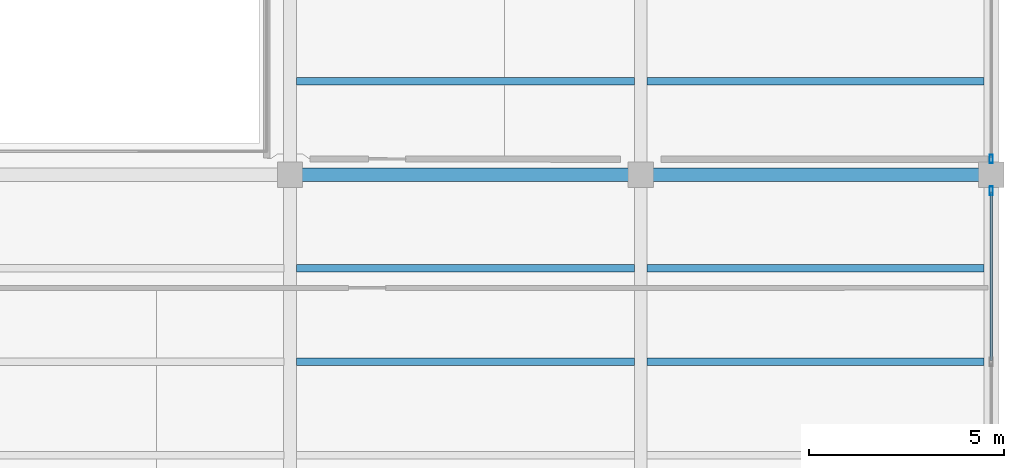
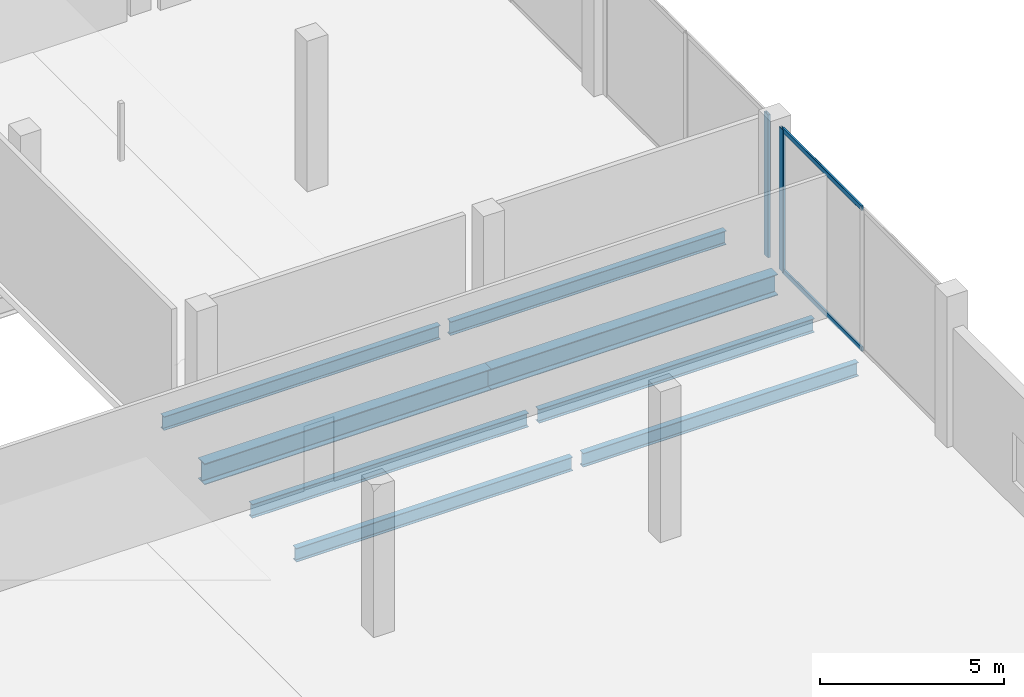
# One storey, part 16 of 46: 8 beams, 4 members, 2 elements without a shape of their own.
"""IFC4 building model written with IfcOpenShell, lengths in metres."""

from ifc_helpers import new_model, si_unit, direction, frame, origin, origin_2d, place, context, subcontext, project, spatial, hollow_rectangle, i_section, extrude, material, layer, layer_set, material_profile, profile_set, type_object, element, aggregate, save


model = new_model("IFC4")

# Units and contexts
model_context = context("Model", 3, precision=1e-05, world=origin(), true_north=direction((0.0, 1.0)))
body_context = subcontext(model_context, "Body", "Model", "MODEL_VIEW")
ifc_project = project(units=[si_unit("LENGTHUNIT", "METRE"), si_unit("AREAUNIT", "SQUARE_METRE"), si_unit("VOLUMEUNIT", "CUBIC_METRE"), si_unit("PLANEANGLEUNIT", "RADIAN"), si_unit("MASSUNIT", "GRAM", prefix="KILO")], contexts=[model_context])

# Site, building, storey
site_placement = place(None, origin())
site = spatial("IfcSite", under=ifc_project, at=site_placement, CompositionType="ELEMENT")
building_placement = place(site_placement, origin())
building = spatial("IfcBuilding", under=site, at=building_placement, Name="Qorvath Tower", CompositionType="ELEMENT")
storey_placement = place(building_placement, frame((0.0, 0.0, 17.0)))
storey = spatial("IfcBuildingStorey", under=building, at=storey_placement, Name="L03", CompositionType="ELEMENT", Elevation=17.0)

# Beams
ifc_material_1 = material(Name="Steel ASTM A992 Grade 50", Category="steel")
ifc_material_profile_1 = material_profile(ifc_material_1, i_section(OverallWidth=0.35595703125, OverallDepth=0.696044921875, WebThickness=0.015380859375, FlangeThickness=0.02490234375, FilletRadius=0.01806640625, at=origin_2d()), Name="W27x146")
ifc_profile_set_1 = profile_set([ifc_material_profile_1], Name="Steel ASTM A992 Grade 50")
beam_type_1 = type_object("IfcBeamType", Name="BM-FG4", PredefinedType="BEAM", material=ifc_profile_set_1)
for number, where, z_axis, x_axis, name in (
    (1, (59.39990234375, -9.60009765625, -0.60791015625), (1.0, 0.0, 0.0), (0.0, 1.0, 0.0), "Library E-W Girder L03-4-4"),
    (2, (68.39990234375, -9.60009765625, -0.60791015625), (1.0, 0.0, 0.0), (0.0, 1.0, 0.0), "Library E-W Girder L03-4-5"),
):
    element("IfcBeam", number, at=place(storey_placement, frame(where, z_axis=z_axis, x_axis=x_axis)), inside=storey, type_object=beam_type_1, Name=name, PredefinedType="BEAM", context=body_context, shape_type="SweptSolid", body=[
        extrude(i_section(OverallWidth=0.35595703125, OverallDepth=0.696044921875, WebThickness=0.015380859375, FlangeThickness=0.02490234375, FilletRadius=0.01806640625, at=origin_2d()), origin(), (0.0, 0.0, 1.0), 9.0),
    ])
ifc_material_2 = material(Name="Steel ASTM A992 Grade 50", Category="steel")
ifc_material_profile_2 = material_profile(ifc_material_2, i_section(OverallWidth=0.18994140625, OverallDepth=0.45703125, WebThickness=0.009033203125, FlangeThickness=0.014404296875, FilletRadius=0.011962890625, at=origin_2d()), Name="W18x50")
ifc_profile_set_2 = profile_set([ifc_material_profile_2], Name="Steel ASTM A992 Grade 50")
beam_type_2 = type_object("IfcBeamType", Name="BM-FJ2", PredefinedType="JOIST", material=ifc_profile_set_2)
beam_1_placement = place(storey_placement, frame((59.560546875, -14.39990234375, -0.488525390625), z_axis=(1.0, 0.0, 0.0), x_axis=(0.0, 1.0, 0.0)))
element("IfcBeam", 3, at=beam_1_placement, inside=storey, type_object=beam_type_2, Name="Library Stack Joist L03-3.2-4", PredefinedType="JOIST", context=body_context, shape_type="SweptSolid", body=[
    extrude(i_section(OverallWidth=0.18994140625, OverallDepth=0.45703125, WebThickness=0.009033203125, FlangeThickness=0.014404296875, FilletRadius=0.011962890625, at=origin_2d()), origin(), (0.0, 0.0, 1.0), 8.678955078125),
])
beam_2_placement = place(storey_placement, frame((68.560546875, -14.39990234375, -0.488525390625), z_axis=(1.0, 0.0, 0.0), x_axis=(0.0, 1.0, 0.0)))
element("IfcBeam", 4, at=beam_2_placement, inside=storey, type_object=beam_type_2, Name="Library Stack Joist L03-3.2-5", PredefinedType="JOIST", context=body_context, shape_type="SweptSolid", body=[
    extrude(i_section(OverallWidth=0.18994140625, OverallDepth=0.45703125, WebThickness=0.009033203125, FlangeThickness=0.014404296875, FilletRadius=0.011962890625, at=origin_2d()), origin(), (0.0, 0.0, 1.0), 8.65087890625),
])
beam_3_placement = place(storey_placement, frame((59.560546875, -12.0, -0.488525390625), z_axis=(1.0, 0.0, 0.0), x_axis=(0.0, 1.0, 0.0)))
element("IfcBeam", 5, at=beam_3_placement, inside=storey, type_object=beam_type_2, Name="Library Stack Joist L03-3.3-4", PredefinedType="JOIST", context=body_context, shape_type="SweptSolid", body=[
    extrude(i_section(OverallWidth=0.18994140625, OverallDepth=0.45703125, WebThickness=0.009033203125, FlangeThickness=0.014404296875, FilletRadius=0.011962890625, at=origin_2d()), origin(), (0.0, 0.0, 1.0), 8.678955078125),
])
beam_4_placement = place(storey_placement, frame((68.560546875, -12.0, -0.488525390625), z_axis=(1.0, 0.0, 0.0), x_axis=(0.0, 1.0, 0.0)))
element("IfcBeam", 6, at=beam_4_placement, inside=storey, type_object=beam_type_2, Name="Library Stack Joist L03-3.3-5", PredefinedType="JOIST", context=body_context, shape_type="SweptSolid", body=[
    extrude(i_section(OverallWidth=0.18994140625, OverallDepth=0.45703125, WebThickness=0.009033203125, FlangeThickness=0.014404296875, FilletRadius=0.011962890625, at=origin_2d()), origin(), (0.0, 0.0, 1.0), 8.65087890625),
])
beam_5_placement = place(storey_placement, frame((59.560546875, -7.199951171875, -0.488525390625), z_axis=(1.0, 0.0, 0.0), x_axis=(0.0, 1.0, 0.0)))
element("IfcBeam", 7, at=beam_5_placement, inside=storey, type_object=beam_type_2, Name="Library Stack Joist L03-4.1-4", PredefinedType="JOIST", context=body_context, shape_type="SweptSolid", body=[
    extrude(i_section(OverallWidth=0.18994140625, OverallDepth=0.45703125, WebThickness=0.009033203125, FlangeThickness=0.014404296875, FilletRadius=0.011962890625, at=origin_2d()), origin(), (0.0, 0.0, 1.0), 8.678955078125),
])
beam_6_placement = place(storey_placement, frame((68.560546875, -7.199951171875, -0.488525390625), z_axis=(1.0, 0.0, 0.0), x_axis=(0.0, 1.0, 0.0)))
element("IfcBeam", 8, at=beam_6_placement, inside=storey, type_object=beam_type_2, Name="Library Stack Joist L03-4.1-5", PredefinedType="JOIST", context=body_context, shape_type="SweptSolid", body=[
    extrude(i_section(OverallWidth=0.18994140625, OverallDepth=0.45703125, WebThickness=0.009033203125, FlangeThickness=0.014404296875, FilletRadius=0.011962890625, at=origin_2d()), origin(), (0.0, 0.0, 1.0), 8.65087890625),
])

# Curtain wall, member
ifc_material_3 = material(Name="Anodised aluminium and triple low-E glass", Category="aluminium")
ifc_layer = layer(ifc_material_3, 0.179931640625)
ifc_layer_set = layer_set([ifc_layer], Name="CW-SYS-6")
curtain_wall_type = type_object("IfcCurtainWallType", Name="CW-SYS-6", PredefinedType="NOTDEFINED", material=ifc_layer_set)
curtain_wall_1_placement = place(storey_placement, origin())
curtain_wall_1 = element("IfcCurtainWall", 9, at=curtain_wall_1_placement, inside=storey, type_object=curtain_wall_type, Name="Curtain Wall CW-6 CW-LIB-E-L03-3", PredefinedType="NOTDEFINED")
ifc_material_4 = material(Name="Anodised aluminium 6063-T6", Category="aluminium")
ifc_material_profile_3 = material_profile(ifc_material_4, hollow_rectangle(XDim=0.080078125, YDim=0.219970703125, WallThickness=0.00439453125, InnerFilletRadius=0.00439453125, OuterFilletRadius=0.009033203125, at=origin_2d()), Name="CWM LIB 220x80")
ifc_profile_set_3 = profile_set([ifc_material_profile_3], Name="Anodised aluminium 6063-T6")
member_type_1 = type_object("IfcMemberType", Name="CWM-LIB", PredefinedType="MULLION", material=ifc_profile_set_3)
member_1_placement = place(storey_placement, frame((77.39990234375, -10.010009765625, 0.0), z_axis=(0.0, 0.0, 1.0), x_axis=(-1.0, 0.0, 0.0)))
member_1 = element("IfcMember", 10, at=member_1_placement, type_object=member_type_1, Name="CW-6 mullion 3", PredefinedType="MULLION", context=body_context, shape_type="SweptSolid", body=[
    extrude(hollow_rectangle(XDim=0.080078125, YDim=0.219970703125, WallThickness=0.00439453125, InnerFilletRadius=0.00439453125, OuterFilletRadius=0.009033203125, at=origin_2d()), origin(), (0.0, 0.0, 1.0), 4.739990234375),
])

curtain_wall_2_placement = place(storey_placement, origin())
curtain_wall_2 = element("IfcCurtainWall", 11, at=curtain_wall_2_placement, inside=storey, type_object=curtain_wall_type, Name="Curtain Wall CW-6 CW-LIB-E-L03-4", PredefinedType="NOTDEFINED")
member_2_placement = place(storey_placement, frame((77.39990234375, -9.18994140625, 0.0), z_axis=(0.0, 0.0, 1.0), x_axis=(-1.0, 0.0, 0.0)))
member_2 = element("IfcMember", 12, at=member_2_placement, type_object=member_type_1, Name="CW-6 mullion 1", PredefinedType="MULLION", context=body_context, shape_type="SweptSolid", body=[
    extrude(hollow_rectangle(XDim=0.080078125, YDim=0.219970703125, WallThickness=0.00439453125, InnerFilletRadius=0.00439453125, OuterFilletRadius=0.009033203125, at=origin_2d()), origin(), (0.0, 0.0, 1.0), 4.739990234375),
])
aggregate(curtain_wall_2, [member_2])

# Member
ifc_material_5 = material(Name="Anodised aluminium 6063-T6", Category="aluminium")
ifc_material_profile_4 = material_profile(ifc_material_5, hollow_rectangle(XDim=0.06494140625, YDim=0.159912109375, WallThickness=0.00341796875, InnerFilletRadius=0.00341796875, OuterFilletRadius=0.007080078125, at=origin_2d()), Name="CWT 160x65")
ifc_profile_set_4 = profile_set([ifc_material_profile_4], Name="Anodised aluminium 6063-T6")
member_type_2 = type_object("IfcMemberType", Name="CWT-160", PredefinedType="USERDEFINED", material=ifc_profile_set_4)
member_3_placement = place(storey_placement, frame((77.39990234375, -14.360107421875, 0.032470703125), z_axis=(0.0, 1.0, 0.0), x_axis=(-1.0, 0.0, 0.0)))
member_3 = element("IfcMember", 13, at=member_3_placement, type_object=member_type_2, Name="CW-6 transom 2.1", ObjectType="TRANSOM", PredefinedType="USERDEFINED", context=body_context, shape_type="SweptSolid", body=[
    extrude(hollow_rectangle(XDim=0.06494140625, YDim=0.159912109375, WallThickness=0.00341796875, InnerFilletRadius=0.00341796875, OuterFilletRadius=0.007080078125, at=origin_2d()), origin(), (0.0, 0.0, 1.0), 4.31005859375),
])

member_4_placement = place(storey_placement, frame((77.39990234375, -14.360107421875, 4.70751953125), z_axis=(0.0, 1.0, 0.0), x_axis=(-1.0, 0.0, 0.0)))
member_4 = element("IfcMember", 14, at=member_4_placement, type_object=member_type_2, Name="CW-6 transom 2.2", ObjectType="TRANSOM", PredefinedType="USERDEFINED", context=body_context, shape_type="SweptSolid", body=[
    extrude(hollow_rectangle(XDim=0.06494140625, YDim=0.159912109375, WallThickness=0.00341796875, InnerFilletRadius=0.00341796875, OuterFilletRadius=0.007080078125, at=origin_2d()), origin(), (0.0, 0.0, 1.0), 4.31005859375),
])

aggregate(curtain_wall_1, [member_1, member_3, member_4])

save(model, "model.ifc")
